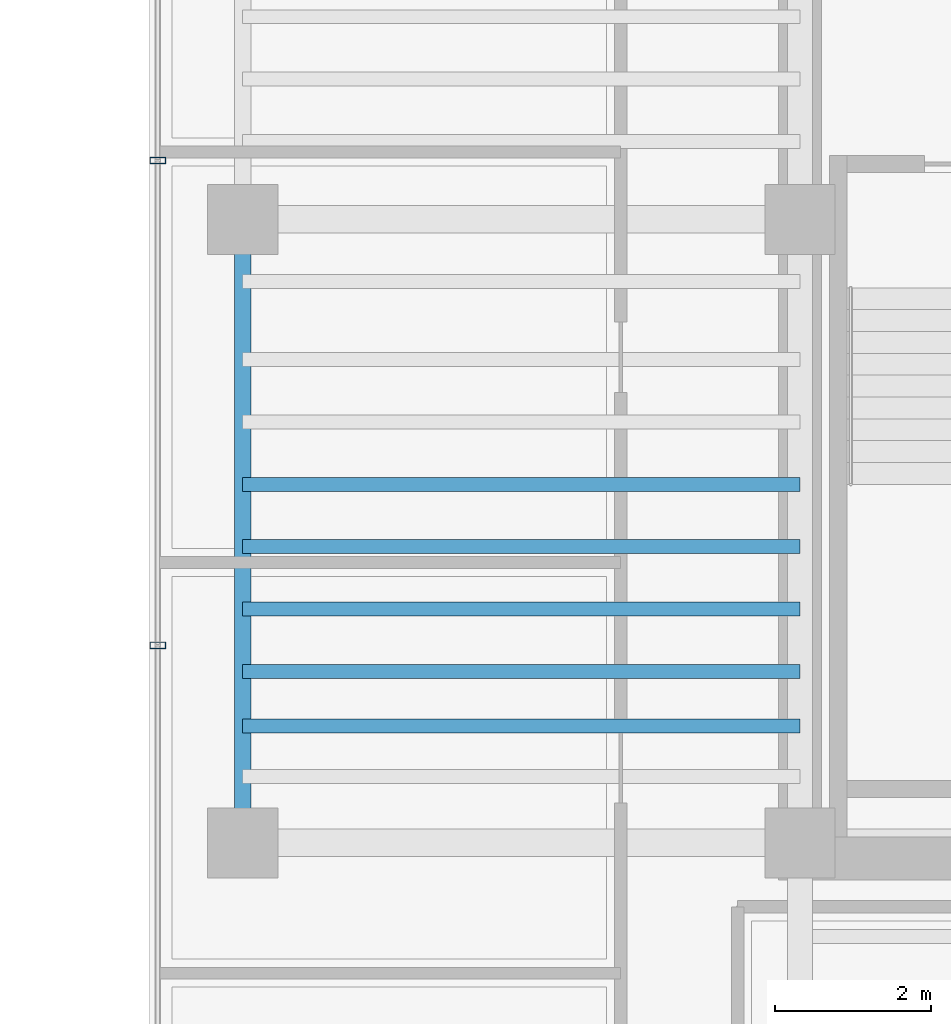
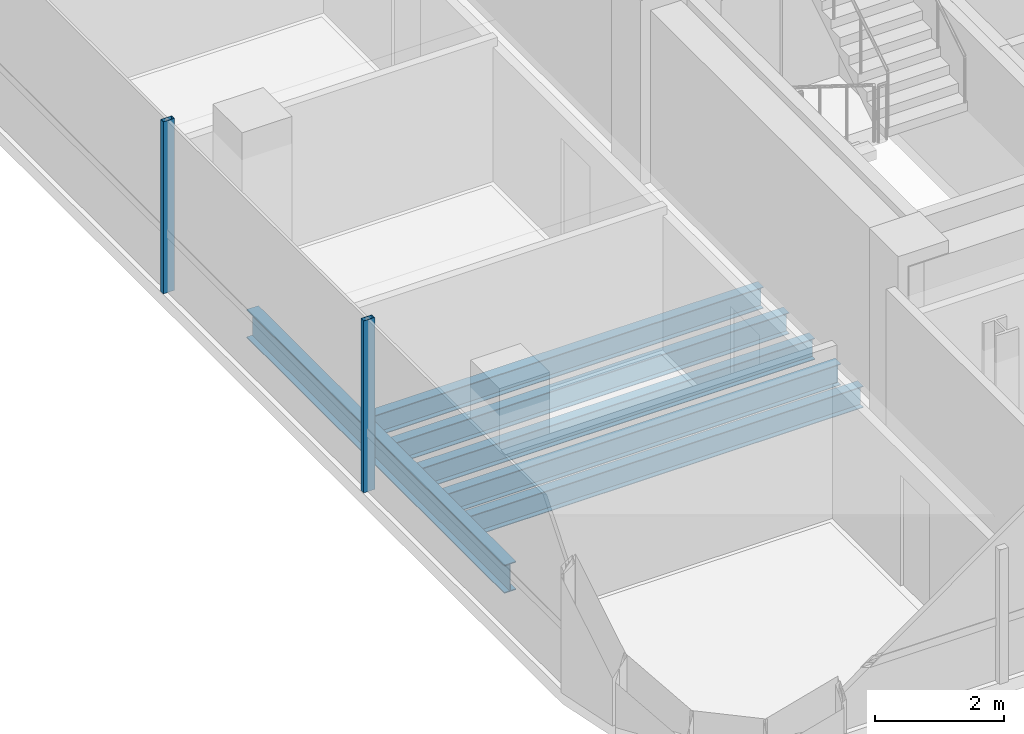
# One storey, part 4 of 21: 6 beams, 2 members, 1 element without a shape of its own.
"""IFC4 building model written with IfcOpenShell, lengths in metres."""

import ifcopenshell
import ifcopenshell.guid

model = None  # the IFC model being written
_history = None  # IfcOwnerHistory: only IFC2X3 demands one
_inside = {}  # id of a spatial element -> (the spatial element, [elements in it])
_under = {}  # id of a project, library or spatial element -> (it, [spatial elements below it])
_declared = {}  # id of a project -> (the project, [libraries it declares])
_typed = {}  # id of a type object -> (the type object, [elements of that type])
_made_of = {}  # id of a material, layer set ... -> (it, [elements and type objects made of it])


def new_model(schema):
    """Start an empty IFC model of exactly this schema.

    Asked for "IFC4X3", IfcOpenShell would pick the latest addendum, in which some entities
    have other attributes; the version numbers below select the first issue.
    IFC2X3 requires an IfcOwnerHistory on every rooted entity: one is made here for all.
    """
    global model, _history
    if schema == "IFC4X3":
        model = ifcopenshell.file(schema_version=(4, 3, 0, 0))
    else:
        model = ifcopenshell.file(schema=schema)
    _inside.clear()
    _under.clear()
    _declared.clear()
    _typed.clear()
    _made_of.clear()
    _history = None
    if model.schema == "IFC2X3":
        org = make("IfcOrganization", Name="unknown")
        user = make(
            "IfcPersonAndOrganization",
            ThePerson=make("IfcPerson", FamilyName="unknown"),
            TheOrganization=org,
        )
        app = make(
            "IfcApplication",
            ApplicationDeveloper=org,
            Version="unknown",
            ApplicationFullName="unknown",
            ApplicationIdentifier="unknown",
        )
        _history = make(
            "IfcOwnerHistory",
            OwningUser=user,
            OwningApplication=app,
            ChangeAction="ADDED",
            CreationDate=0,
        )
    return model


def make(cls, **values):
    """One entity of the class cls with the attributes given. An attribute that is None is left unset."""
    return model.create_entity(
        cls, **{name: value for name, value in values.items() if value is not None}
    )


def rooted(cls, **values):
    """An entity with a GlobalId (a new one), such as an element, a storey or a relation."""
    return make(cls, GlobalId=ifcopenshell.guid.new(), OwnerHistory=_history, **values)


def si_unit(unit_type, name, prefix=None):
    """IfcSIUnit, for example si_unit("LENGTHUNIT", "METRE", prefix="MILLI")."""
    return make("IfcSIUnit", UnitType=unit_type, Prefix=prefix, Name=name)


def assignment(units):
    """IfcUnitAssignment: the units of a project."""
    return None if units is None else make("IfcUnitAssignment", Units=units)


def point(xyz):
    """IfcCartesianPoint."""
    return None if xyz is None else make("IfcCartesianPoint", Coordinates=xyz)


def direction(xyz):
    """IfcDirection."""
    return None if xyz is None else make("IfcDirection", DirectionRatios=xyz)


def frame(location, z_axis=None, x_axis=None):
    """IfcAxis2Placement3D, a coordinate frame: its origin and axes. An axis left out is left unset."""
    return make(
        "IfcAxis2Placement3D",
        Location=point(location),
        Axis=direction(z_axis),
        RefDirection=direction(x_axis),
    )


def frame_2d(location, x_axis=None):
    """IfcAxis2Placement2D, a coordinate frame in the plane: its origin and x axis."""
    return make(
        "IfcAxis2Placement2D", Location=point(location), RefDirection=direction(x_axis)
    )


def origin():
    """The frame at (0, 0, 0) with its axes left unset."""
    return frame((0.0, 0.0, 0.0))


def origin_2d():
    """The frame at (0, 0) in the plane with its x axis left unset."""
    return frame_2d((0.0, 0.0))


def place(relative_to, where):
    """IfcLocalPlacement: puts the frame where relative to a parent placement (None: the world)."""
    return make(
        "IfcLocalPlacement", PlacementRelTo=relative_to, RelativePlacement=where
    )


def context(
    kind, dimensions, precision=None, world=None, true_north=None, identifier=None
):
    """IfcGeometricRepresentationContext, for example the 3D "Model" context."""
    return make(
        "IfcGeometricRepresentationContext",
        ContextIdentifier=identifier,
        ContextType=kind,
        CoordinateSpaceDimension=dimensions,
        Precision=precision,
        WorldCoordinateSystem=world,
        TrueNorth=true_north,
    )


def subcontext(parent, identifier, kind, view, scale=None):
    """IfcGeometricRepresentationSubContext, for example "Body" below "Model"."""
    return make(
        "IfcGeometricRepresentationSubContext",
        ContextIdentifier=identifier,
        ContextType=kind,
        ParentContext=parent,
        TargetScale=scale,
        TargetView=view,
    )


def project(units=None, contexts=None):
    """IfcProject with its units and contexts."""
    return rooted(
        "IfcProject",
        Name="project",
        RepresentationContexts=contexts,
        UnitsInContext=assignment(units),
    )


def spatial(cls, under=None, at=None, **own):
    """A site, building, storey or space (cls), placed at a placement, below another one or the project."""
    s = rooted(cls, ObjectPlacement=at, **own)
    if under is not None:
        _under.setdefault(under.id(), (under, []))[1].append(s)
    return s


def profile(cls, at=None, kind="AREA", **sizes):
    """A parametric profile (cls). Its sizes go by their IFC names, for example OverallWidth=200.0."""
    return make(cls, ProfileType=kind, Position=at, **sizes)


def hollow_rectangle(**sizes):
    """IfcRectangleHollowProfileDef."""
    return profile("IfcRectangleHollowProfileDef", **sizes)


def i_section(**sizes):
    """IfcIShapeProfileDef."""
    return profile("IfcIShapeProfileDef", **sizes)


def extrude(swept, where, along, depth):
    """IfcExtrudedAreaSolid: the profile swept, set in the frame where, extruded along a direction by depth."""
    return make(
        "IfcExtrudedAreaSolid",
        SweptArea=swept,
        Position=where,
        ExtrudedDirection=direction(along),
        Depth=depth,
    )


def shape(context_of_items, identifier, shape_type, items):
    """IfcShapeRepresentation: the items that make up one representation, for example the "Body"."""
    return make(
        "IfcShapeRepresentation",
        ContextOfItems=context_of_items,
        RepresentationIdentifier=identifier,
        RepresentationType=shape_type,
        Items=items,
    )


def source(mapping_origin, context_of_items, identifier, shape_type, items):
    """IfcRepresentationMap: a shape defined once, which mapped items show again and again."""
    return make(
        "IfcRepresentationMap",
        MappingOrigin=mapping_origin,
        MappedRepresentation=shape(context_of_items, identifier, shape_type, items),
    )


def transform(
    local_origin,
    x_axis=None,
    y_axis=None,
    z_axis=None,
    scale=None,
    scale2=None,
    scale3=None,
    uniform=True,
):
    """IfcCartesianTransformationOperator3D, or its non-uniform kind. x_axis, y_axis, z_axis: its Axis1, 2, 3."""
    if uniform:
        return make(
            "IfcCartesianTransformationOperator3D",
            Axis1=direction(x_axis),
            Axis2=direction(y_axis),
            LocalOrigin=point(local_origin),
            Scale=scale,
            Axis3=direction(z_axis),
        )
    return make(
        "IfcCartesianTransformationOperator3DnonUniform",
        Axis1=direction(x_axis),
        Axis2=direction(y_axis),
        LocalOrigin=point(local_origin),
        Scale=scale,
        Axis3=direction(z_axis),
        Scale2=scale2,
        Scale3=scale3,
    )


def mapped(mapping_source, mapping_target):
    """IfcMappedItem: shows the shape of a source again, moved by a transform."""
    return make(
        "IfcMappedItem", MappingSource=mapping_source, MappingTarget=mapping_target
    )


def material(Name=None, Category=None):
    """IfcMaterial."""
    return make("IfcMaterial", Name=Name, Category=Category)


def material_profile(
    of_material, cross_section, Name=None, Category=None, Priority=None
):
    """IfcMaterialProfile: a cross section and its material."""
    return make(
        "IfcMaterialProfile",
        Name=Name,
        Material=of_material,
        Profile=cross_section,
        Priority=Priority,
        Category=Category,
    )


def profile_set(profiles, Name=None, composite=None):
    """IfcMaterialProfileSet."""
    return make(
        "IfcMaterialProfileSet",
        Name=Name,
        MaterialProfiles=profiles,
        CompositeProfile=composite,
    )


def made_of(thing, what):
    """Note that an element or type object is made of a material, layer set ...; save() writes the relation."""
    if what is not None:
        _made_of.setdefault(what.id(), (what, []))[1].append(thing)
    return thing


def type_object(cls, material=None, **own):
    """A type object (cls), such as IfcWallType, which elements share."""
    return made_of(rooted(cls, **own), material)


def element(
    cls,
    number,
    at=None,
    inside=None,
    cuts=None,
    type_object=None,
    material=None,
    context=None,
    identifier="Body",
    shape_type=None,
    held_by="IfcProductDefinitionShape",
    body=None,
    shapes=None,
    **own,
):
    """One element of the class cls, such as IfcWall. Its Tag is "e" and its number.

    at: its placement. inside: the storey or other place that contains it. cuts: it is an
    opening in that element (IfcRelVoidsElement). A single representation is given by context,
    identifier, shape_type and body (its items); several are given by shapes. held_by: the class
    of the entity that holds the representations. save() writes the other relations.
    """
    e = rooted(cls, Tag="e%d" % number, ObjectPlacement=at, **own)
    if body is not None:
        shapes = [shape(context, identifier, shape_type, body)]
    if shapes is not None:
        e.Representation = make(held_by, Representations=shapes)
    if inside is not None:
        _inside.setdefault(inside.id(), (inside, []))[1].append(e)
    if cuts is not None:
        rooted(
            "IfcRelVoidsElement", RelatingBuildingElement=cuts, RelatedOpeningElement=e
        )
    if type_object is not None:
        _typed.setdefault(type_object.id(), (type_object, []))[1].append(e)
    return made_of(e, material)


def aggregate(whole, parts):
    """IfcRelAggregates: a whole, such as a stair, and the parts it consists of."""
    return rooted("IfcRelAggregates", RelatingObject=whole, RelatedObjects=parts)


def save(model, path):
    """Write the relations noted so far, then the file.

    IfcRelAggregates (storeys below a building ...), IfcRelContainedInSpatialStructure (elements
    in a storey), IfcRelDefinesByType, IfcRelAssociatesMaterial and IfcRelDeclares: one each for
    every whole, place, type object, material and project.
    """
    for whole, parts in _under.values():
        aggregate(whole, parts)
    for where, things in _inside.values():
        rooted(
            "IfcRelContainedInSpatialStructure",
            RelatedElements=things,
            RelatingStructure=where,
        )
    for kind, things in _typed.values():
        rooted("IfcRelDefinesByType", RelatedObjects=things, RelatingType=kind)
    for what, things in _made_of.values():
        rooted("IfcRelAssociatesMaterial", RelatedObjects=things, RelatingMaterial=what)
    for by, libraries in _declared.values():
        rooted("IfcRelDeclares", RelatingContext=by, RelatedDefinitions=libraries)
    model.write(path)


model = new_model("IFC4")

# Units and contexts
model_context = context("Model", 3, precision=1e-05, world=origin(), true_north=direction((0.0, 1.0)))
body_context = subcontext(model_context, "Body", "Model", "MODEL_VIEW")
ifc_project = project(units=[si_unit("LENGTHUNIT", "METRE"), si_unit("AREAUNIT", "SQUARE_METRE"), si_unit("VOLUMEUNIT", "CUBIC_METRE"), si_unit("PLANEANGLEUNIT", "RADIAN"), si_unit("MASSUNIT", "GRAM", prefix="KILO")], contexts=[model_context])

# Site, building, storey
site_placement = place(None, origin())
site = spatial("IfcSite", under=ifc_project, at=site_placement, CompositionType="ELEMENT")
building_placement = place(site_placement, origin())
building = spatial("IfcBuilding", under=site, at=building_placement, Name="Valdorenza Pilgrim Sanctuary Tower", CompositionType="ELEMENT")
storey_placement = place(building_placement, frame((0.0, 0.0, 223.0)))
storey = spatial("IfcBuildingStorey", under=building, at=storey_placement, Name="L57", CompositionType="ELEMENT", Elevation=223.0)

# Beams
ifc_material_1 = material(Name="Steel ASTM A992 Grade 50", Category="steel")
ifc_material_profile_1 = material_profile(ifc_material_1, i_section(OverallWidth=0.2109375, OverallDepth=0.5390625, WebThickness=0.01171875, FlangeThickness=0.018798828125, at=origin_2d()), Name="W21X73")
ifc_profile_set_1 = profile_set([ifc_material_profile_1], Name="Steel ASTM A992 Grade 50")
beam_type_1 = type_object("IfcBeamType", Name="STR-BM-SPN-W21B", PredefinedType="SPANDREL", material=ifc_profile_set_1)
shared_shape_1 = source(origin(), body_context, "Body", "SweptSolid", [
    extrude(i_section(OverallWidth=0.2109375, OverallDepth=0.5390625, WebThickness=0.01171875, FlangeThickness=0.018798828125, at=origin_2d()), origin(), (0.0, 0.0, 1.0), 8.0),
])
beam_placement = place(storey_placement, frame((-29.800048828125, -10.60009765625, -0.509521484375), z_axis=(0.0, 1.0, 0.0), x_axis=(-1.0, 0.0, 0.0)))
element("IfcBeam", 1, at=beam_placement, inside=storey, type_object=beam_type_1, Name="L57 Spandrel Beam WA-W-S1M0", PredefinedType="SPANDREL", context=body_context, shape_type="MappedRepresentation", body=[
    mapped(shared_shape_1, transform((0.0, 0.0, 0.0), x_axis=(1.0, 0.0, 0.0), y_axis=(0.0, 1.0, 0.0), z_axis=(0.0, 0.0, 1.0), scale=1.0)),
])
ifc_material_profile_2 = material_profile(ifc_material_1, i_section(OverallWidth=0.177978515625, OverallDepth=0.406005859375, WebThickness=0.0078125, FlangeThickness=0.0126953125, at=origin_2d()), Name="W16X40")
ifc_profile_set_2 = profile_set([ifc_material_profile_2], Name="Steel ASTM A992 Grade 50")
beam_type_2 = type_object("IfcBeamType", Name="STR-BM-JST-W16", PredefinedType="JOIST", material=ifc_profile_set_2)
shared_shape_2 = source(origin(), body_context, "Body", "SweptSolid", [
    extrude(i_section(OverallWidth=0.177978515625, OverallDepth=0.406005859375, WebThickness=0.0078125, FlangeThickness=0.0126953125, at=origin_2d()), origin(), (0.0, 0.0, 1.0), 7.150146484375),
])
for number, where, z_axis, x_axis, name in (
    (2, (-29.800048828125, -9.10009765625, -0.443115234375), (1.0, 0.0, 0.0), (0.0, 1.0, 0.0), "L57 Composite Floor Joist JST-WA-2"),
    (3, (-29.800048828125, -8.39990234375, -0.443115234375), (1.0, 0.0, 0.0), (0.0, 1.0, 0.0), "L57 Composite Floor Joist JST-WA-3"),
    (4, (-29.800048828125, -7.60009765625, -0.443115234375), (1.0, 0.0, 0.0), (0.0, 1.0, 0.0), "L57 Composite Floor Joist JST-WA-4"),
    (5, (-29.800048828125, -6.800048828125, -0.443115234375), (1.0, 0.0, 0.0), (0.0, 1.0, 0.0), "L57 Composite Floor Joist JST-WA-5"),
    (6, (-29.800048828125, -6.0, -0.443115234375), (1.0, 0.0, 0.0), (0.0, 1.0, 0.0), "L57 Composite Floor Joist JST-WA-6"),
):
    element("IfcBeam", number, at=place(storey_placement, frame(where, z_axis=z_axis, x_axis=x_axis)), inside=storey, type_object=beam_type_2, Name=name, PredefinedType="JOIST", context=body_context, shape_type="MappedRepresentation", body=[
        mapped(shared_shape_2, transform((0.0, 0.0, 0.0), x_axis=(1.0, 0.0, 0.0), y_axis=(0.0, 1.0, 0.0), z_axis=(0.0, 0.0, 1.0), scale=1.0)),
    ])

# Curtain wall, members
ifc_material_2 = material(Name="Curtain-wall IGU glazing", Category="glass")
curtain_wall_type = type_object("IfcCurtainWallType", Name="CW-SYS-02", PredefinedType="NOTDEFINED", material=ifc_material_2)
curtain_wall_placement = place(storey_placement, origin())
curtain_wall = element("IfcCurtainWall", 7, at=curtain_wall_placement, inside=storey, type_object=curtain_wall_type, Name="L57 Curtain Wall CW-L57-1-1S1", PredefinedType="NOTDEFINED")
ifc_material_3 = material(Name="Anodised aluminium AW-6060", Category="aluminium")
ifc_material_profile_3 = material_profile(ifc_material_3, hollow_rectangle(XDim=0.0849609375, YDim=0.199951171875, WallThickness=0.0048828125, at=origin_2d()), Name="ALU-M 200x85x5")
ifc_profile_set_3 = profile_set([ifc_material_profile_3], Name="Anodised aluminium AW-6060")
member_type = type_object("IfcMemberType", Name="CW-MUL-02", PredefinedType="MULLION", material=ifc_profile_set_3)
shared_shape_3 = source(origin(), body_context, "Body", "SweptSolid", [
    extrude(hollow_rectangle(XDim=0.0849609375, YDim=0.199951171875, WallThickness=0.0048828125, at=origin_2d()), origin(), (0.0, 0.0, 1.0), 3.260009765625),
])
member_1_placement = place(storey_placement, frame((-30.889892578125, -8.06689453125, 0.0), z_axis=(0.0, 0.0, 1.0), x_axis=(0.0, 1.0, 0.0)))
member_1 = element("IfcMember", 8, at=member_1_placement, type_object=member_type, Name="CW-L57-1-1S1 Mullion 2", PredefinedType="MULLION", context=body_context, shape_type="MappedRepresentation", body=[
    mapped(shared_shape_3, transform((0.0, 0.0, 0.0), x_axis=(1.0, 0.0, 0.0), y_axis=(0.0, 1.0, 0.0), z_axis=(0.0, 0.0, 1.0), scale=1.0)),
])
member_2_placement = place(storey_placement, frame((-30.889892578125, -1.844482421875, 0.0), z_axis=(0.0, 0.0, 1.0), x_axis=(0.0, 1.0, 0.0)))
member_2 = element("IfcMember", 9, at=member_2_placement, type_object=member_type, Name="CW-L57-1-1S1 Mullion 3", PredefinedType="MULLION", context=body_context, shape_type="MappedRepresentation", body=[
    mapped(shared_shape_3, transform((0.0, 0.0, 0.0), x_axis=(1.0, 0.0, 0.0), y_axis=(0.0, 1.0, 0.0), z_axis=(0.0, 0.0, 1.0), scale=1.0)),
])
aggregate(curtain_wall, [member_1, member_2])

save(model, "model.ifc")
